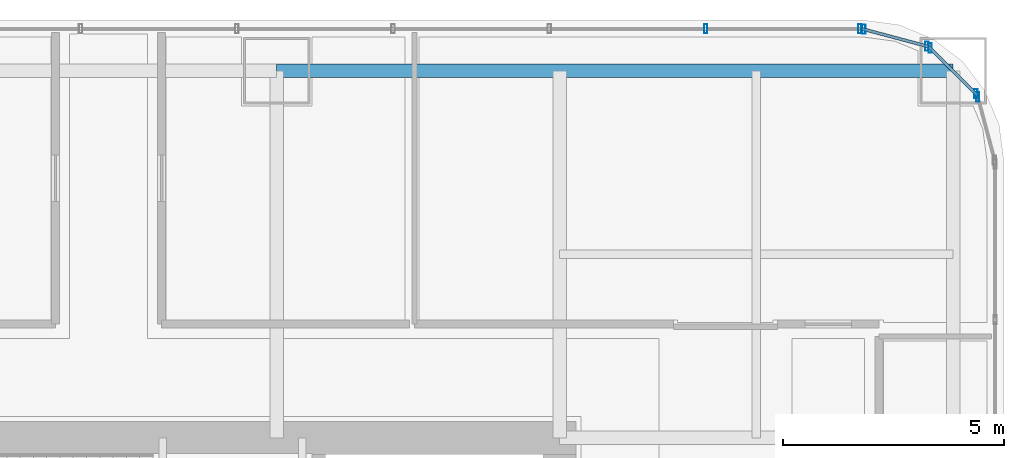
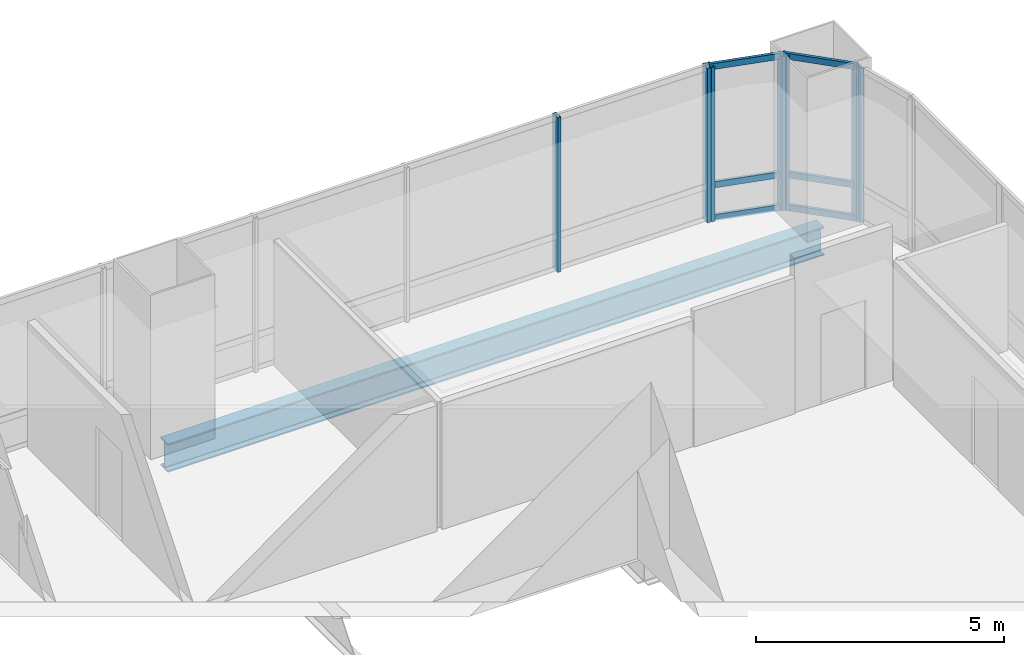
# One storey, part 25 of 36: 13 members, 1 beam, 4 elements without a shape of their own.
"""IFC4 building model written with IfcOpenShell, lengths in metres."""

from ifc_helpers import new_model, si_unit, direction, frame, origin, origin_2d, place, context, subcontext, project, spatial, hollow_rectangle, i_section, extrude, material, material_profile, profile_set, type_object, element, aggregate, save


model = new_model("IFC4")

# Units and contexts
model_context = context("Model", 3, precision=1e-05, world=origin(), true_north=direction((0.0, 1.0)))
body_context = subcontext(model_context, "Body", "Model", "MODEL_VIEW")
ifc_project = project(units=[si_unit("LENGTHUNIT", "METRE"), si_unit("AREAUNIT", "SQUARE_METRE"), si_unit("VOLUMEUNIT", "CUBIC_METRE"), si_unit("PLANEANGLEUNIT", "RADIAN"), si_unit("MASSUNIT", "GRAM", prefix="KILO")], contexts=[model_context])

# Site, building, storey
site_placement = place(None, origin())
site = spatial("IfcSite", under=ifc_project, at=site_placement, CompositionType="ELEMENT")
building_placement = place(site_placement, origin())
building = spatial("IfcBuilding", under=site, at=building_placement, Name="Punatoya Terracotta Tower", CompositionType="ELEMENT")
storey_placement = place(building_placement, frame((0.0, 0.0, 40.35009765625)))
storey = spatial("IfcBuildingStorey", under=building, at=storey_placement, Name="L08", CompositionType="ELEMENT", Elevation=40.35009765625)

# Beam
ifc_material_1 = material(Name="Steel S355", Category="steel")
ifc_material_profile_1 = material_profile(ifc_material_1, i_section(OverallWidth=0.300048828125, OverallDepth=0.699951171875, WebThickness=0.01708984375, FlangeThickness=0.031982421875, FilletRadius=0.01806640625, at=origin_2d()))
ifc_profile_set_1 = profile_set([ifc_material_profile_1], Name="Steel S355")
beam_type = type_object("IfcBeamType", Name="BM-PRI-700", PredefinedType="BEAM", material=ifc_profile_set_1)
beam_placement = place(storey_placement, frame((3.800048828125, 17.5, -0.590087890625), z_axis=(1.0, 0.0, 0.0), x_axis=(0.0, 1.0, 0.0)))
element("IfcBeam", 1, at=beam_placement, inside=storey, type_object=beam_type, Name="BM-L08-RG-N3", PredefinedType="BEAM", context=body_context, shape_type="SweptSolid", body=[
    extrude(i_section(OverallWidth=0.300048828125, OverallDepth=0.699951171875, WebThickness=0.01708984375, FlangeThickness=0.031982421875, FilletRadius=0.01806640625, at=origin_2d()), origin(), (0.0, 0.0, 1.0), 15.300048828125),
])

# Curtain wall, member
ifc_material_2 = material(Name="Aluminium 6063-T6 + Double Low-E Glass", Category="aluminium")
curtain_wall_type = type_object("IfcCurtainWallType", Name="CW-M1", PredefinedType="NOTDEFINED", material=ifc_material_2)
curtain_wall_1_placement = place(storey_placement, origin())
curtain_wall_1 = element("IfcCurtainWall", 2, at=curtain_wall_1_placement, inside=storey, type_object=curtain_wall_type, Name="L08 Curtain Wall CW-L08-CRN06", PredefinedType="NOTDEFINED")
ifc_material_3 = material(Name="Aluminium 6063-T6", Category="aluminium")
ifc_material_profile_2 = material_profile(ifc_material_3, hollow_rectangle(XDim=0.074951171875, YDim=0.2099609375, WallThickness=0.00439453125, at=origin_2d()))
ifc_profile_set_2 = profile_set([ifc_material_profile_2], Name="Aluminium 6063-T6")
member_type_1 = type_object("IfcMemberType", Name="CW-MUL-M1", PredefinedType="MULLION", material=ifc_profile_set_2)
member_1_placement = place(storey_placement, frame((19.658203125, 16.905517578125, 0.0), z_axis=(0.0, 0.0, 1.0), x_axis=(1.0, 0.0, 0.0)))
member_1 = element("IfcMember", 3, at=member_1_placement, type_object=member_type_1, Name="CW-L08-CRN06 Mullion 01", PredefinedType="MULLION", context=body_context, shape_type="SweptSolid", body=[
    extrude(hollow_rectangle(XDim=0.074951171875, YDim=0.2099609375, WallThickness=0.00439453125, at=origin_2d()), origin(), (0.0, 0.0, 1.0), 3.809814453125),
])
aggregate(curtain_wall_1, [member_1])

# Curtain wall, members
curtain_wall_2_placement = place(storey_placement, origin())
curtain_wall_2 = element("IfcCurtainWall", 4, at=curtain_wall_2_placement, inside=storey, type_object=curtain_wall_type, Name="L08 Curtain Wall CW-L08-CRN07", PredefinedType="NOTDEFINED")
member_2_placement = place(storey_placement, frame((19.61474609375, 16.98095703125, 0.0), z_axis=(0.0, 0.0, 1.0), x_axis=(1.0, 0.0, 0.0)))
member_2 = element("IfcMember", 5, at=member_2_placement, type_object=member_type_1, Name="CW-L08-CRN07 Mullion 00", PredefinedType="MULLION", context=body_context, shape_type="SweptSolid", body=[
    extrude(hollow_rectangle(XDim=0.074951171875, YDim=0.2099609375, WallThickness=0.00439453125, at=origin_2d()), origin(), (0.0, 0.0, 1.0), 3.809814453125),
])
member_3_placement = place(storey_placement, frame((18.580810546875, 18.014892578125, 0.0), z_axis=(0.0, 0.0, 1.0), x_axis=(1.0, 0.0, 0.0)))
member_3 = element("IfcMember", 6, at=member_3_placement, type_object=member_type_1, Name="CW-L08-CRN07 Mullion 01", PredefinedType="MULLION", context=body_context, shape_type="SweptSolid", body=[
    extrude(hollow_rectangle(XDim=0.074951171875, YDim=0.2099609375, WallThickness=0.00439453125, at=origin_2d()), origin(), (0.0, 0.0, 1.0), 3.809814453125),
])

curtain_wall_3_placement = place(storey_placement, origin())
curtain_wall_3 = element("IfcCurtainWall", 7, at=curtain_wall_3_placement, inside=storey, type_object=curtain_wall_type, Name="L08 Curtain Wall CW-L08-CRN08", PredefinedType="NOTDEFINED")
member_4_placement = place(storey_placement, frame((18.505615234375, 18.05810546875, 0.0), z_axis=(0.0, 0.0, 1.0), x_axis=(1.0, 0.0, 0.0)))
member_4 = element("IfcMember", 8, at=member_4_placement, type_object=member_type_1, Name="CW-L08-CRN08 Mullion 00", PredefinedType="MULLION", context=body_context, shape_type="SweptSolid", body=[
    extrude(hollow_rectangle(XDim=0.074951171875, YDim=0.2099609375, WallThickness=0.00439453125, at=origin_2d()), origin(), (0.0, 0.0, 1.0), 3.809814453125),
])
member_5_placement = place(storey_placement, frame((17.080322265625, 18.4384765625, 0.0), z_axis=(0.0, 0.0, 1.0), x_axis=(1.0, 0.0, 0.0)))
member_5 = element("IfcMember", 9, at=member_5_placement, type_object=member_type_1, Name="CW-L08-CRN08 Mullion 01", PredefinedType="MULLION", context=body_context, shape_type="SweptSolid", body=[
    extrude(hollow_rectangle(XDim=0.074951171875, YDim=0.2099609375, WallThickness=0.00439453125, at=origin_2d()), origin(), (0.0, 0.0, 1.0), 3.809814453125),
])

curtain_wall_4_placement = place(storey_placement, origin())
curtain_wall_4 = element("IfcCurtainWall", 10, at=curtain_wall_4_placement, inside=storey, type_object=curtain_wall_type, Name="L08 Curtain Wall CW-L08-N09-1", PredefinedType="NOTDEFINED")
member_6_placement = place(storey_placement, frame((16.991943359375, 18.449951171875, 0.0), z_axis=(0.0, 0.0, 1.0), x_axis=(1.0, 0.0, 0.0)))
member_6 = element("IfcMember", 11, at=member_6_placement, type_object=member_type_1, Name="CW-L08-N09-1 Mullion 00", PredefinedType="MULLION", context=body_context, shape_type="SweptSolid", body=[
    extrude(hollow_rectangle(XDim=0.074951171875, YDim=0.2099609375, WallThickness=0.00439453125, at=origin_2d()), origin(), (0.0, 0.0, 1.0), 3.809814453125),
])
member_7_placement = place(storey_placement, frame((13.5029296875, 18.449951171875, 0.0), z_axis=(0.0, 0.0, 1.0), x_axis=(1.0, 0.0, 0.0)))
member_7 = element("IfcMember", 12, at=member_7_placement, type_object=member_type_1, Name="CW-L08-N09-1 Mullion 01", PredefinedType="MULLION", context=body_context, shape_type="SweptSolid", body=[
    extrude(hollow_rectangle(XDim=0.074951171875, YDim=0.2099609375, WallThickness=0.00439453125, at=origin_2d()), origin(), (0.0, 0.0, 1.0), 3.809814453125),
])
aggregate(curtain_wall_4, [member_6, member_7])

# Member
ifc_material_profile_3 = material_profile(ifc_material_3, hollow_rectangle(XDim=0.068115234375, YDim=0.14990234375, WallThickness=0.00390625, at=origin_2d()))
ifc_profile_set_3 = profile_set([ifc_material_profile_3], Name="Aluminium 6063-T6")
member_type_2 = type_object("IfcMemberType", Name="CW-TRN-TYP", PredefinedType="USERDEFINED", material=ifc_profile_set_3)
member_8_placement = place(storey_placement, frame((19.646484375, 16.94921875, 0.039794921875), z_axis=(-0.707106781187, 0.707106781187, 0.0), x_axis=(-0.707106781187, -0.707106781187, 0.0)))
member_8 = element("IfcMember", 13, at=member_8_placement, type_object=member_type_2, Name="CW-L08-CRN07 Transom 1", ObjectType="TRANSOM", PredefinedType="USERDEFINED", context=body_context, shape_type="SweptSolid", body=[
    extrude(hollow_rectangle(XDim=0.068115234375, YDim=0.14990234375, WallThickness=0.00390625, at=origin_2d()), origin(), (0.0, 0.0, 1.0), 1.552001953125),
])

member_9_placement = place(storey_placement, frame((19.646484375, 16.94921875, 0.849853515625), z_axis=(-0.707106781187, 0.707106781187, 0.0), x_axis=(-0.707106781187, -0.707106781187, 0.0)))
member_9 = element("IfcMember", 14, at=member_9_placement, type_object=member_type_2, Name="CW-L08-CRN07 Transom 2", ObjectType="TRANSOM", PredefinedType="USERDEFINED", context=body_context, shape_type="SweptSolid", body=[
    extrude(hollow_rectangle(XDim=0.068115234375, YDim=0.14990234375, WallThickness=0.00390625, at=origin_2d()), origin(), (0.0, 0.0, 1.0), 1.552001953125),
])

member_10_placement = place(storey_placement, frame((19.646484375, 16.94921875, 3.77001953125), z_axis=(-0.707106781187, 0.707106781187, 0.0), x_axis=(-0.707106781187, -0.707106781187, 0.0)))
member_10 = element("IfcMember", 15, at=member_10_placement, type_object=member_type_2, Name="CW-L08-CRN07 Transom 3", ObjectType="TRANSOM", PredefinedType="USERDEFINED", context=body_context, shape_type="SweptSolid", body=[
    extrude(hollow_rectangle(XDim=0.068115234375, YDim=0.14990234375, WallThickness=0.00390625, at=origin_2d()), origin(), (0.0, 0.0, 1.0), 1.552001953125),
])

aggregate(curtain_wall_2, [member_2, member_3, member_8, member_9, member_10])

member_11_placement = place(storey_placement, frame((18.549072265625, 18.046630859375, 0.039794921875), z_axis=(-0.966224582397, 0.257701486942, 0.0), x_axis=(-0.257701486942, -0.966224582397, 0.0)))
member_11 = element("IfcMember", 16, at=member_11_placement, type_object=member_type_2, Name="CW-L08-CRN08 Transom 1", ObjectType="TRANSOM", PredefinedType="USERDEFINED", context=body_context, shape_type="SweptSolid", body=[
    extrude(hollow_rectangle(XDim=0.068115234375, YDim=0.14990234375, WallThickness=0.00390625, at=origin_2d()), origin(), (0.0, 0.0, 1.0), 1.565185546875),
])

member_12_placement = place(storey_placement, frame((18.549072265625, 18.046630859375, 0.849853515625), z_axis=(-0.966224582397, 0.257701486942, 0.0), x_axis=(-0.257701486942, -0.966224582397, 0.0)))
member_12 = element("IfcMember", 17, at=member_12_placement, type_object=member_type_2, Name="CW-L08-CRN08 Transom 2", ObjectType="TRANSOM", PredefinedType="USERDEFINED", context=body_context, shape_type="SweptSolid", body=[
    extrude(hollow_rectangle(XDim=0.068115234375, YDim=0.14990234375, WallThickness=0.00390625, at=origin_2d()), origin(), (0.0, 0.0, 1.0), 1.565185546875),
])

member_13_placement = place(storey_placement, frame((18.549072265625, 18.046630859375, 3.77001953125), z_axis=(-0.966224582397, 0.257701486942, 0.0), x_axis=(-0.257701486942, -0.966224582397, 0.0)))
member_13 = element("IfcMember", 18, at=member_13_placement, type_object=member_type_2, Name="CW-L08-CRN08 Transom 3", ObjectType="TRANSOM", PredefinedType="USERDEFINED", context=body_context, shape_type="SweptSolid", body=[
    extrude(hollow_rectangle(XDim=0.068115234375, YDim=0.14990234375, WallThickness=0.00390625, at=origin_2d()), origin(), (0.0, 0.0, 1.0), 1.565185546875),
])

aggregate(curtain_wall_3, [member_4, member_5, member_11, member_12, member_13])

save(model, "model.ifc")
